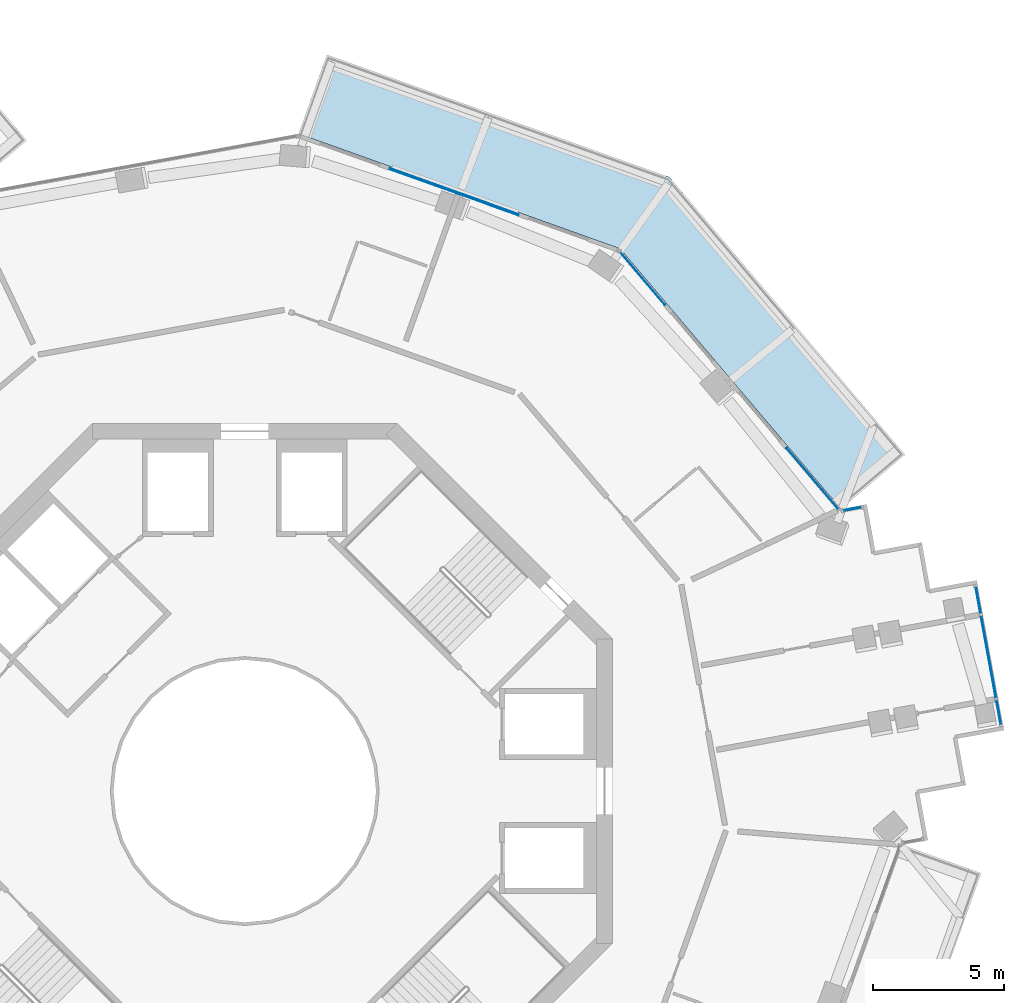
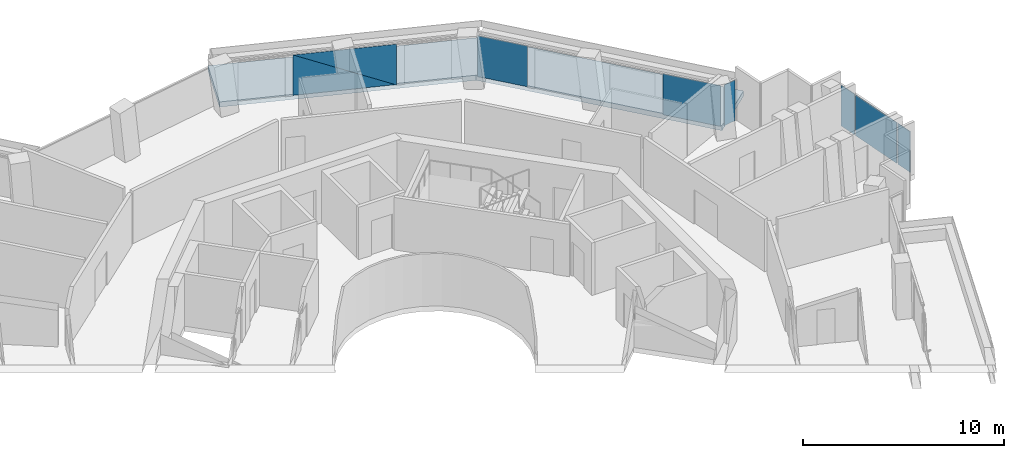
# One storey, part 13 of 21: 8 plates, 1 slab, 4 elements without a shape of their own.
"""IFC4 building model written with IfcOpenShell, lengths in metres."""

from ifc_helpers import new_model, si_unit, direction, frame, origin, origin_2d, place, context, subcontext, project, spatial, polyline, rectangle, outline, extrude, material, layer, layer_set, type_object, element, aggregate, save


model = new_model("IFC4")

# Units and contexts
model_context = context("Model", 3, precision=1e-05, world=origin(), true_north=direction((0.0, 1.0)))
body_context = subcontext(model_context, "Body", "Model", "MODEL_VIEW")
ifc_project = project(units=[si_unit("LENGTHUNIT", "METRE"), si_unit("AREAUNIT", "SQUARE_METRE"), si_unit("VOLUMEUNIT", "CUBIC_METRE"), si_unit("PLANEANGLEUNIT", "RADIAN"), si_unit("MASSUNIT", "GRAM", prefix="KILO")], contexts=[model_context])

# Site, building, storey
site_placement = place(None, origin())
site = spatial("IfcSite", under=ifc_project, at=site_placement, CompositionType="ELEMENT")
building_placement = place(site_placement, origin())
building = spatial("IfcBuilding", under=site, at=building_placement, Name="Verdalira Terraces Hotel", CompositionType="ELEMENT")
storey_placement = place(building_placement, frame((0.0, 0.0, 197.5)))
storey = spatial("IfcBuildingStorey", under=building, at=storey_placement, Name="L48", CompositionType="ELEMENT", Elevation=197.5)

# Slab
ifc_material_1 = material(Name="Precast concrete C40/50", Category="concrete")
ifc_layer_1 = layer(ifc_material_1, 0.31005859375)
ifc_layer_set_1 = layer_set([ifc_layer_1], Name="Balcony deck 310")
slab_type = type_object("IfcSlabType", Name="Balcony deck 310", PredefinedType="FLOOR", material=ifc_layer_set_1)
slab_placement = place(storey_placement, frame((0.0, 0.0, -0.310059)))
element("IfcSlab", 1, at=slab_placement, inside=storey, type_object=slab_type, Name="Balcony deck", PredefinedType="FLOOR", context=body_context, shape_type="SweptSolid", body=[
    extrude(outline(polyline([(3.126709, 28.043457), (2.049072, 25.030273), (14.289795, 20.652344), (22.701416, 10.740723), (25.141357, 12.811279), (16.174805, 23.376709), (3.126709, 28.043457)])), origin(), (0.0, 0.0, 1.0), 0.310059),
])

# Curtain wall, plates
ifc_material_2 = material(Name="Clear glass", Category="glass")
ifc_layer_2 = layer(ifc_material_2, 0.14990234375)
ifc_layer_set_2 = layer_set([ifc_layer_2], Name="CW1 curtain wall")
curtain_wall_type_1 = type_object("IfcCurtainWallType", Name="CW1 curtain wall", PredefinedType="NOTDEFINED", material=ifc_layer_set_2)
curtain_wall_1_placement = place(storey_placement, origin())
curtain_wall_1 = element("IfcCurtainWall", 2, at=curtain_wall_1_placement, inside=storey, type_object=curtain_wall_type_1, Name="CW1 curtain wall L48 edge 39", PredefinedType="NOTDEFINED")
ifc_material_3 = material(Name="Clear glass", Category="glass")
ifc_layer_3 = layer(ifc_material_3, 0.028076171875)
ifc_layer_set_3 = layer_set([ifc_layer_3], Name="CW1 glass unit 28")
plate_type_1 = type_object("IfcPlateType", Name="CW1 glass unit 28", PredefinedType="CURTAIN_PANEL", material=ifc_layer_set_3)
plate_1_placement = place(storey_placement, frame((21.621826, 11.896729, 0.0), z_axis=(0.0, 0.0, 1.0), x_axis=(-0.647055962, 0.762442511, 0.0)))
plate_1 = element("IfcPlate", 3, at=plate_1_placement, type_object=plate_type_1, Name="CW1 glass unit", PredefinedType="CURTAIN_PANEL", context=body_context, shape_type="SweptSolid", body=[
    extrude(rectangle(XDim=3.040039, YDim=0.028076, at=origin_2d()), origin(), (0.0, 0.0, 1.0), 2.475098),
])
plate_2_placement = place(storey_placement, frame((15.151123, 19.521484, 0.0), z_axis=(0.0, 0.0, 1.0), x_axis=(-0.647055962, 0.762442511, 0.0)))
plate_2 = element("IfcPlate", 4, at=plate_2_placement, type_object=plate_type_1, Name="CW1 glass unit", PredefinedType="CURTAIN_PANEL", context=body_context, shape_type="SweptSolid", body=[
    extrude(rectangle(XDim=2.638428, YDim=0.028076, at=origin_2d()), origin(), (0.0, 0.0, 1.0), 2.475098),
])
aggregate(curtain_wall_1, [plate_1, plate_2])

curtain_wall_2_placement = place(storey_placement, origin())
curtain_wall_2 = element("IfcCurtainWall", 5, at=curtain_wall_2_placement, inside=storey, type_object=curtain_wall_type_1, Name="CW1 curtain wall L48 edge 40", PredefinedType="NOTDEFINED")
plate_3_placement = place(storey_placement, frame((7.970703, 22.817871, 1.237549), z_axis=(0.336766603, 0.941588156, 0.0), x_axis=(-0.941588156, 0.336766603, 0.0)))
plate_3 = element("IfcPlate", 6, at=plate_3_placement, type_object=plate_type_1, Name="CW1 glass unit", PredefinedType="CURTAIN_PANEL", context=body_context, shape_type="SweptSolid", body=[
    extrude(outline(polyline([(-2.611816, -1.237549), (2.611816, -1.237549), (2.611816, 1.237549), (-2.611816, -1.237549)])), origin(), (0.0, 0.0, 1.0), 0.028076),
])
plate_4_placement = place(storey_placement, frame((7.960938, 22.790527, 1.237549), z_axis=(0.336766603, 0.941588156, 0.0), x_axis=(-0.941588156, 0.336766603, 0.0)))
plate_4 = element("IfcPlate", 7, at=plate_4_placement, type_object=plate_type_1, Name="CW1 glass unit", PredefinedType="CURTAIN_PANEL", context=body_context, shape_type="SweptSolid", body=[
    extrude(outline(polyline([(-2.611816, -1.237549), (2.611816, 1.237549), (-2.611816, 1.237549), (-2.611816, -1.237549)])), origin(), (0.0, 0.0, 1.0), 0.028076),
])
aggregate(curtain_wall_2, [plate_3, plate_4])

# Curtain wall, plate
ifc_material_4 = material(Name="Clear glass", Category="glass")
ifc_layer_4 = layer(ifc_material_4, 0.14990234375)
ifc_layer_set_4 = layer_set([ifc_layer_4], Name="CW2 curtain wall")
curtain_wall_type_2 = type_object("IfcCurtainWallType", Name="CW2 curtain wall", PredefinedType="NOTDEFINED", material=ifc_layer_set_4)
curtain_wall_3_placement = place(storey_placement, origin())
curtain_wall_3 = element("IfcCurtainWall", 8, at=curtain_wall_3_placement, inside=storey, type_object=curtain_wall_type_2, Name="CW2 curtain wall L48 edge 38", PredefinedType="NOTDEFINED")
ifc_material_5 = material(Name="Clear glass", Category="glass")
ifc_layer_5 = layer(ifc_material_5, 0.031982421875)
ifc_layer_set_5 = layer_set([ifc_layer_5], Name="CW2 glass unit 32")
plate_type_2 = type_object("IfcPlateType", Name="CW2 glass unit 32", PredefinedType="CURTAIN_PANEL", material=ifc_layer_set_5)
plate_5_placement = place(storey_placement, frame((23.133057, 10.74292, 0.0), z_axis=(0.0, 0.0, 1.0), x_axis=(-0.983822564, -0.179145645, 0.0)))
plate_5 = element("IfcPlate", 9, at=plate_5_placement, type_object=plate_type_2, Name="CW2 glass unit", PredefinedType="CURTAIN_PANEL", context=body_context, shape_type="SweptSolid", body=[
    extrude(rectangle(XDim=0.709961, YDim=0.031982, at=origin_2d()), origin(), (0.0, 0.0, 1.0), 2.475098),
])
aggregate(curtain_wall_3, [plate_5])

# Curtain wall, plates
ifc_material_6 = material(Name="Clear glass", Category="glass")
ifc_layer_6 = layer(ifc_material_6, 0.14990234375)
ifc_layer_set_6 = layer_set([ifc_layer_6], Name="CW3 curtain wall")
curtain_wall_type_3 = type_object("IfcCurtainWallType", Name="CW3 curtain wall", PredefinedType="NOTDEFINED", material=ifc_layer_set_6)
curtain_wall_4_placement = place(storey_placement, origin())
curtain_wall_4 = element("IfcCurtainWall", 10, at=curtain_wall_4_placement, inside=storey, type_object=curtain_wall_type_3, Name="CW3 curtain wall L48 edge 33", PredefinedType="NOTDEFINED")
ifc_material_7 = material(Name="Clear glass", Category="glass")
ifc_layer_7 = layer(ifc_material_7, 0.035888671875)
ifc_layer_set_7 = layer_set([ifc_layer_7], Name="CW3 glass unit 36")
plate_type_3 = type_object("IfcPlateType", Name="CW3 glass unit 36", PredefinedType="CURTAIN_PANEL", material=ifc_layer_set_7)
plate_6_placement = place(storey_placement, frame((28.710449, 2.999023, 0.0), z_axis=(0.0, 0.0, 1.0), x_axis=(-0.179145645, 0.983822564, 0.0)))
plate_6 = element("IfcPlate", 11, at=plate_6_placement, type_object=plate_type_3, Name="CW3 glass unit", PredefinedType="CURTAIN_PANEL", context=body_context, shape_type="SweptSolid", body=[
    extrude(rectangle(XDim=0.954346, YDim=0.035889, at=origin_2d()), origin(), (0.0, 0.0, 1.0), 2.475098),
])
plate_7_placement = place(storey_placement, frame((28.325439, 5.11377, 0.0), z_axis=(0.0, 0.0, 1.0), x_axis=(-0.179145645, 0.983822564, 0.0)))
plate_7 = element("IfcPlate", 12, at=plate_7_placement, type_object=plate_type_3, Name="CW3 glass unit", PredefinedType="CURTAIN_PANEL", context=body_context, shape_type="SweptSolid", body=[
    extrude(rectangle(XDim=3.18457, YDim=0.035889, at=origin_2d()), origin(), (0.0, 0.0, 1.0), 2.475098),
])
plate_8_placement = place(storey_placement, frame((27.932617, 7.270996, 0.0), z_axis=(0.0, 0.0, 1.0), x_axis=(-0.179145645, 0.983822564, 0.0)))
plate_8 = element("IfcPlate", 13, at=plate_8_placement, type_object=plate_type_3, Name="CW3 glass unit", PredefinedType="CURTAIN_PANEL", context=body_context, shape_type="SweptSolid", body=[
    extrude(rectangle(XDim=1.041016, YDim=0.035889, at=origin_2d()), origin(), (0.0, 0.0, 1.0), 2.475098),
])
aggregate(curtain_wall_4, [plate_6, plate_7, plate_8])

save(model, "model.ifc")
